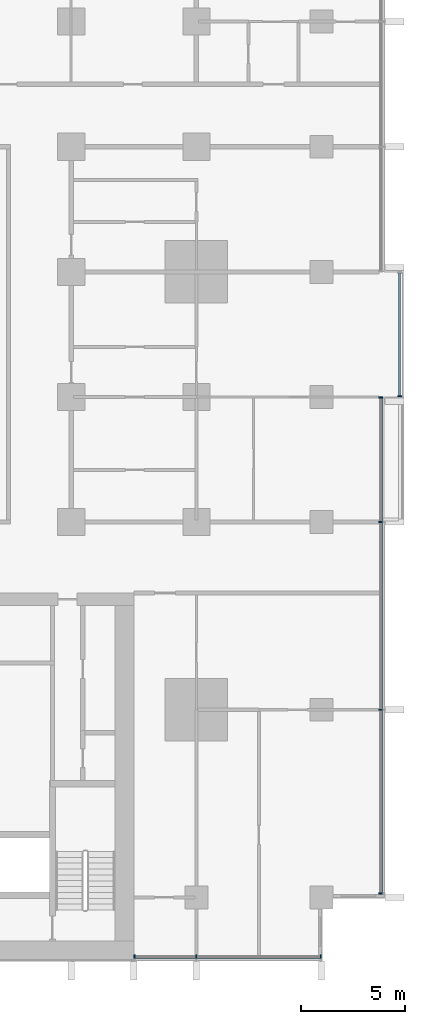
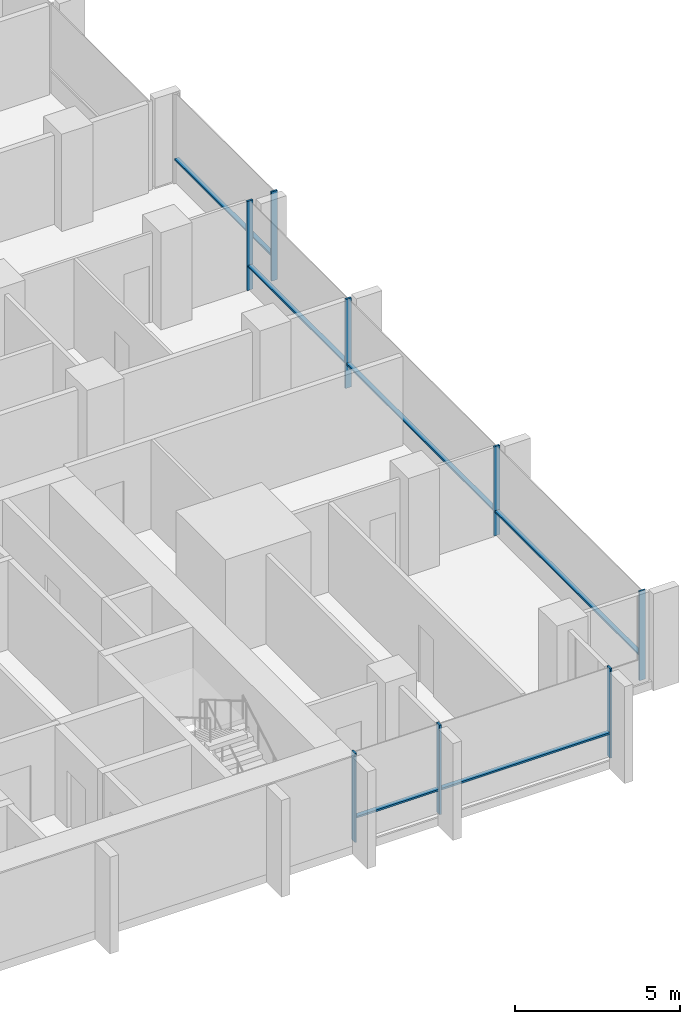
# One storey, part 3 of 17: 14 members, 3 elements without a shape of their own.
"""IFC4 building model written with IfcOpenShell, lengths in metres."""

from ifc_helpers import new_model, si_unit, direction, frame, origin, origin_2d, place, context, subcontext, project, spatial, rectangle, extrude, material, material_profile, profile_set, type_object, element, aggregate, save


model = new_model("IFC4")

# Units and contexts
model_context = context("Model", 3, precision=1e-05, world=origin(), true_north=direction((0.0, 1.0)))
body_context = subcontext(model_context, "Body", "Model", "MODEL_VIEW")
ifc_project = project(units=[si_unit("LENGTHUNIT", "METRE"), si_unit("AREAUNIT", "SQUARE_METRE"), si_unit("VOLUMEUNIT", "CUBIC_METRE"), si_unit("PLANEANGLEUNIT", "RADIAN"), si_unit("MASSUNIT", "GRAM", prefix="KILO")], contexts=[model_context])

# Site, building, storey
site_placement = place(None, origin())
site = spatial("IfcSite", under=ifc_project, at=site_placement, CompositionType="ELEMENT")
building_placement = place(site_placement, origin())
building = spatial("IfcBuilding", under=site, at=building_placement, Name="Finial Court Residences", CompositionType="ELEMENT")
storey_placement = place(building_placement, frame((0.0, 0.0, 61.300048828125)))
storey = spatial("IfcBuildingStorey", under=building, at=storey_placement, Name="L14", CompositionType="ELEMENT", Elevation=61.300048828125)

# Curtain wall, members
ifc_material = material(Name="Bronze anodised aluminium", Category="aluminium")
curtain_wall_type = type_object("IfcCurtainWallType", Name="Unitised curtain wall, lower and middle zones", PredefinedType="NOTDEFINED", material=ifc_material)
curtain_wall_1_placement = place(storey_placement, origin())
curtain_wall_1 = element("IfcCurtainWall", 1, at=curtain_wall_1_placement, inside=storey, type_object=curtain_wall_type, Name="E-L14-CW-E5", PredefinedType="NOTDEFINED")
ifc_material_profile_1 = material_profile(ifc_material, rectangle(XDim=0.199951171875, YDim=0.06494140625, at=origin_2d()), Name="CW1 mullion 65 x 200")
ifc_profile_set_1 = profile_set([ifc_material_profile_1], Name="Bronze anodised aluminium")
member_type_1 = type_object("IfcMemberType", Name="CW1 mullion 65 x 200", PredefinedType="MULLION", material=ifc_profile_set_1)
member_1_placement = place(storey_placement, frame((25.35009765625, -22.3173828125, 0.0), z_axis=(0.0, 0.0, 1.0), x_axis=(-1.0, 0.0, 0.0)))
member_1 = element("IfcMember", 2, at=member_1_placement, type_object=member_type_1, Name="CW1 mullion 1", PredefinedType="MULLION", context=body_context, shape_type="SweptSolid", body=[
    extrude(rectangle(XDim=0.199951171875, YDim=0.06494140625, at=origin_2d()), origin(), (0.0, 0.0, 1.0), 3.300048828125),
])
member_2_placement = place(storey_placement, frame((25.35009765625, -13.5, 0.0), z_axis=(0.0, 0.0, 1.0), x_axis=(-1.0, 0.0, 0.0)))
member_2 = element("IfcMember", 3, at=member_2_placement, type_object=member_type_1, Name="CW1 mullion 2", PredefinedType="MULLION", context=body_context, shape_type="SweptSolid", body=[
    extrude(rectangle(XDim=0.199951171875, YDim=0.06494140625, at=origin_2d()), origin(), (0.0, 0.0, 1.0), 3.300048828125),
])
member_3_placement = place(storey_placement, frame((25.35009765625, -4.5, 0.0), z_axis=(0.0, 0.0, 1.0), x_axis=(-1.0, 0.0, 0.0)))
member_3 = element("IfcMember", 4, at=member_3_placement, type_object=member_type_1, Name="CW1 mullion 3", PredefinedType="MULLION", context=body_context, shape_type="SweptSolid", body=[
    extrude(rectangle(XDim=0.199951171875, YDim=0.06494140625, at=origin_2d()), origin(), (0.0, 0.0, 1.0), 3.300048828125),
])
member_4_placement = place(storey_placement, frame((25.35009765625, 1.467529296875, 0.0), z_axis=(0.0, 0.0, 1.0), x_axis=(-1.0, 0.0, 0.0)))
member_4 = element("IfcMember", 5, at=member_4_placement, type_object=member_type_1, Name="CW1 mullion 4", PredefinedType="MULLION", context=body_context, shape_type="SweptSolid", body=[
    extrude(rectangle(XDim=0.199951171875, YDim=0.06494140625, at=origin_2d()), origin(), (0.0, 0.0, 1.0), 3.300048828125),
])

# Curtain wall, member
curtain_wall_2_placement = place(storey_placement, origin())
curtain_wall_2 = element("IfcCurtainWall", 6, at=curtain_wall_2_placement, inside=storey, type_object=curtain_wall_type, Name="E-L14-CW-E6", PredefinedType="NOTDEFINED")
member_5_placement = place(storey_placement, frame((26.25, 1.532470703125, 0.0), z_axis=(0.0, 0.0, 1.0), x_axis=(-1.0, 0.0, 0.0)))
member_5 = element("IfcMember", 7, at=member_5_placement, type_object=member_type_1, Name="CW1 mullion 1", PredefinedType="MULLION", context=body_context, shape_type="SweptSolid", body=[
    extrude(rectangle(XDim=0.199951171875, YDim=0.06494140625, at=origin_2d()), origin(), (0.0, 0.0, 1.0), 3.300048828125),
])

# Curtain wall, members
curtain_wall_3_placement = place(storey_placement, origin())
curtain_wall_3 = element("IfcCurtainWall", 8, at=curtain_wall_3_placement, inside=storey, type_object=curtain_wall_type, Name="E-L14-CW-S9", PredefinedType="NOTDEFINED")
member_6_placement = place(storey_placement, frame((13.532470703125, -25.35009765625, 0.0), z_axis=(0.0, 0.0, 1.0), x_axis=(0.0, 1.0, 0.0)))
member_6 = element("IfcMember", 9, at=member_6_placement, type_object=member_type_1, Name="CW1 mullion 1", PredefinedType="MULLION", context=body_context, shape_type="SweptSolid", body=[
    extrude(rectangle(XDim=0.199951171875, YDim=0.06494140625, at=origin_2d()), origin(), (0.0, 0.0, 1.0), 3.300048828125),
])
member_7_placement = place(storey_placement, frame((16.5, -25.35009765625, 0.0), z_axis=(0.0, 0.0, 1.0), x_axis=(0.0, 1.0, 0.0)))
member_7 = element("IfcMember", 10, at=member_7_placement, type_object=member_type_1, Name="CW1 mullion 2", PredefinedType="MULLION", context=body_context, shape_type="SweptSolid", body=[
    extrude(rectangle(XDim=0.199951171875, YDim=0.06494140625, at=origin_2d()), origin(), (0.0, 0.0, 1.0), 3.300048828125),
])
member_8_placement = place(storey_placement, frame((22.467529296875, -25.35009765625, 0.0), z_axis=(0.0, 0.0, 1.0), x_axis=(0.0, 1.0, 0.0)))
member_8 = element("IfcMember", 11, at=member_8_placement, type_object=member_type_1, Name="CW1 mullion 3", PredefinedType="MULLION", context=body_context, shape_type="SweptSolid", body=[
    extrude(rectangle(XDim=0.199951171875, YDim=0.06494140625, at=origin_2d()), origin(), (0.0, 0.0, 1.0), 3.300048828125),
])

# Member
ifc_material_profile_2 = material_profile(ifc_material, rectangle(XDim=0.14990234375, YDim=0.06494140625, at=origin_2d()), Name="CW1 transom 65 x 150")
ifc_profile_set_2 = profile_set([ifc_material_profile_2], Name="Bronze anodised aluminium")
member_type_2 = type_object("IfcMemberType", Name="CW1 transom 65 x 150", PredefinedType="USERDEFINED", material=ifc_profile_set_2)
member_9_placement = place(storey_placement, frame((25.35009765625, -22.284912109375, 0.89990234375), z_axis=(0.0, 1.0, 0.0), x_axis=(-1.0, 0.0, 0.0)))
member_9 = element("IfcMember", 12, at=member_9_placement, type_object=member_type_2, Name="CW1 transom 1.1", ObjectType="TRANSOM", PredefinedType="USERDEFINED", context=body_context, shape_type="SweptSolid", body=[
    extrude(rectangle(XDim=0.14990234375, YDim=0.06494140625, at=origin_2d()), origin(), (0.0, 0.0, 1.0), 8.75244140625),
])

member_10_placement = place(storey_placement, frame((25.35009765625, -13.467529296875, 0.89990234375), z_axis=(0.0, 1.0, 0.0), x_axis=(-1.0, 0.0, 0.0)))
member_10 = element("IfcMember", 13, at=member_10_placement, type_object=member_type_2, Name="CW1 transom 2.1", ObjectType="TRANSOM", PredefinedType="USERDEFINED", context=body_context, shape_type="SweptSolid", body=[
    extrude(rectangle(XDim=0.14990234375, YDim=0.06494140625, at=origin_2d()), origin(), (0.0, 0.0, 1.0), 8.93505859375),
])

member_11_placement = place(storey_placement, frame((25.35009765625, -4.467529296875, 0.89990234375), z_axis=(0.0, 1.0, 0.0), x_axis=(-1.0, 0.0, 0.0)))
member_11 = element("IfcMember", 14, at=member_11_placement, type_object=member_type_2, Name="CW1 transom 3.1", ObjectType="TRANSOM", PredefinedType="USERDEFINED", context=body_context, shape_type="SweptSolid", body=[
    extrude(rectangle(XDim=0.14990234375, YDim=0.06494140625, at=origin_2d()), origin(), (0.0, 0.0, 1.0), 5.902587890625),
])

aggregate(curtain_wall_1, [member_1, member_2, member_3, member_4, member_9, member_10, member_11])

member_12_placement = place(storey_placement, frame((26.25, 1.56494140625, 0.89990234375), z_axis=(0.0, 1.0, 0.0), x_axis=(-1.0, 0.0, 0.0)))
member_12 = element("IfcMember", 15, at=member_12_placement, type_object=member_type_2, Name="CW1 transom 1.1", ObjectType="TRANSOM", PredefinedType="USERDEFINED", context=body_context, shape_type="SweptSolid", body=[
    extrude(rectangle(XDim=0.14990234375, YDim=0.06494140625, at=origin_2d()), origin(), (0.0, 0.0, 1.0), 5.8701171875),
])

aggregate(curtain_wall_2, [member_5, member_12])

member_13_placement = place(storey_placement, frame((13.56494140625, -25.35009765625, 0.89990234375), z_axis=(1.0, 0.0, 0.0), x_axis=(0.0, 1.0, 0.0)))
member_13 = element("IfcMember", 16, at=member_13_placement, type_object=member_type_2, Name="CW1 transom 1.1", ObjectType="TRANSOM", PredefinedType="USERDEFINED", context=body_context, shape_type="SweptSolid", body=[
    extrude(rectangle(XDim=0.14990234375, YDim=0.06494140625, at=origin_2d()), origin(), (0.0, 0.0, 1.0), 2.902587890625),
])

member_14_placement = place(storey_placement, frame((16.532470703125, -25.35009765625, 0.89990234375), z_axis=(1.0, 0.0, 0.0), x_axis=(0.0, 1.0, 0.0)))
member_14 = element("IfcMember", 17, at=member_14_placement, type_object=member_type_2, Name="CW1 transom 2.1", ObjectType="TRANSOM", PredefinedType="USERDEFINED", context=body_context, shape_type="SweptSolid", body=[
    extrude(rectangle(XDim=0.14990234375, YDim=0.06494140625, at=origin_2d()), origin(), (0.0, 0.0, 1.0), 5.902587890625),
])

aggregate(curtain_wall_3, [member_6, member_7, member_8, member_13, member_14])

save(model, "model.ifc")
